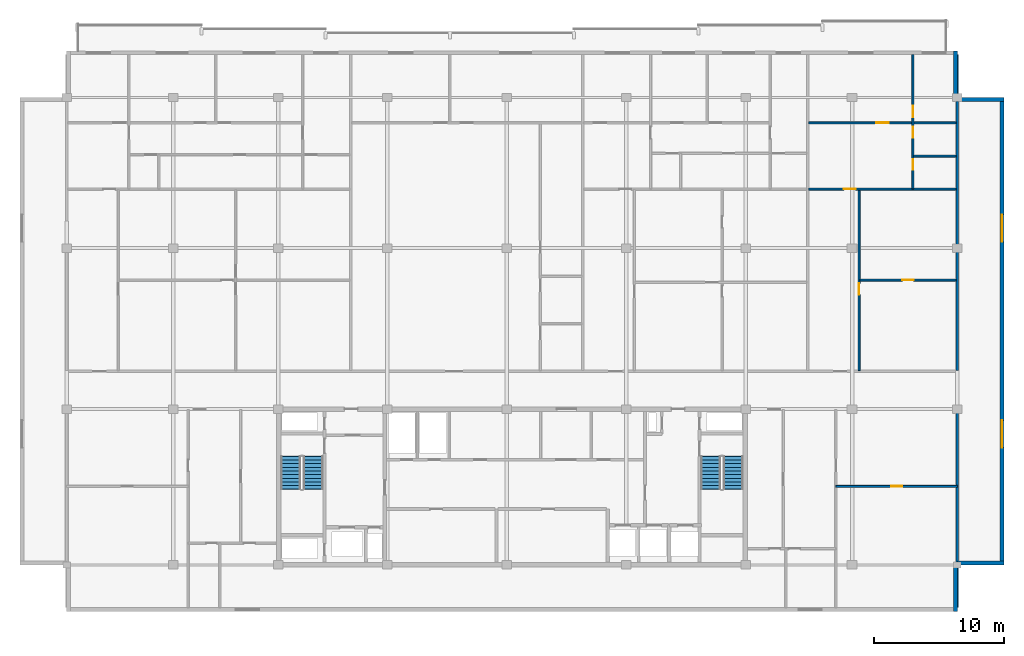
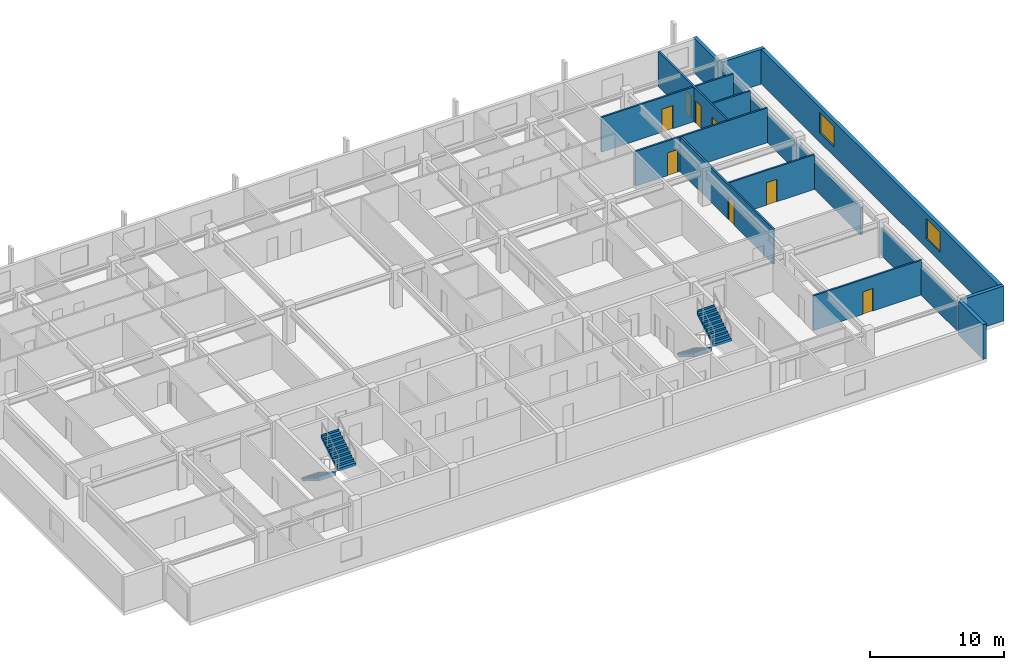
# One storey, part 8 of 10: 14 walls, 8 doors, 4 stair flights, 2 windows, 10 openings, 2 elements without a shape of their own.
"""IFC4 building model written with IfcOpenShell, lengths in metres."""

from ifc_helpers import new_model, si_unit, direction, frame, frame_2d, origin, place, context, subcontext, project, spatial, polyline, rectangle, outline, extrude, material, layer, layer_set, type_object, element, fill, aggregate, save


model = new_model("IFC4")

# Units and contexts
model_context = context("Model", 3, precision=1e-05, world=origin(), true_north=direction((0.0, 1.0)))
body_context = subcontext(model_context, "Body", "Model", "MODEL_VIEW")
ifc_project = project(units=[si_unit("LENGTHUNIT", "METRE"), si_unit("AREAUNIT", "SQUARE_METRE"), si_unit("VOLUMEUNIT", "CUBIC_METRE"), si_unit("PLANEANGLEUNIT", "RADIAN"), si_unit("MASSUNIT", "GRAM", prefix="KILO")], contexts=[model_context])

# Site, building, storey
site_placement = place(None, origin())
site = spatial("IfcSite", under=ifc_project, at=site_placement, CompositionType="ELEMENT")
building_placement = place(site_placement, origin())
building = spatial("IfcBuilding", under=site, at=building_placement, Name="Korimba Cascade Residences", CompositionType="ELEMENT")
storey_placement = place(building_placement, frame((0.0, 0.0, 228.64990234375)))
storey = spatial("IfcBuildingStorey", under=building, at=storey_placement, Name="L66", CompositionType="ELEMENT", Elevation=228.64990234375)

# Walls
ifc_material_1 = material(Name="Precast concrete C40/50", Category="concrete")
ifc_layer_1 = layer(ifc_material_1, 0.300048828125)
ifc_layer_set_1 = layer_set([ifc_layer_1], Name="Precast concrete C40/50")
wall_type_1 = type_object("IfcWallType", Name="EW-STONE-300", PredefinedType="STANDARD", material=ifc_layer_set_1)
wall_1_placement = place(storey_placement, frame((128.25, 51.60009765625, 0.0), z_axis=(0.0, 0.0, 1.0), x_axis=(0.0, 1.0, 0.0)))
element("IfcWall", 1, at=wall_1_placement, inside=storey, type_object=wall_type_1, Name="L66 T1 Perimeter Stone Wall E01", PredefinedType="STANDARD", context=body_context, shape_type="SweptSolid", body=[
    extrude(rectangle(XDim=3.599853515625, YDim=0.300048828125, at=frame_2d((1.7998046875, 0.0))), origin(), (0.0, 0.0, 1.0), 3.170166015625),
])
wall_2_placement = place(storey_placement, frame((128.39990234375, 55.35009765625, 0.0), z_axis=(0.0, 0.0, 1.0), x_axis=(1.0, 0.0, 0.0)))
element("IfcWall", 2, at=wall_2_placement, inside=storey, type_object=wall_type_1, Name="L66 T1 Perimeter Stone Wall E02", PredefinedType="STANDARD", context=body_context, shape_type="SweptSolid", body=[
    extrude(rectangle(XDim=3.60009765625, YDim=0.300048828125, at=frame_2d((1.800048828125, 0.0))), origin(), (0.0, 0.0, 1.0), 3.170166015625),
])

# Wall, openings, windows
wall_3_placement = place(storey_placement, frame((131.85009765625, 55.199951171875, 0.0), z_axis=(0.0, 0.0, 1.0), x_axis=(0.0, 1.0, 0.0)))
wall_3 = element("IfcWall", 3, at=wall_3_placement, inside=storey, type_object=wall_type_1, Name="L66 T1 Perimeter Stone Wall E03", PredefinedType="STANDARD", context=body_context, shape_type="SweptSolid", body=[
    extrude(rectangle(XDim=36.0, YDim=0.300048828125, at=frame_2d((18.0, 0.0))), origin(), (0.0, 0.0, 1.0), 3.170166015625),
])
opening_1_placement = place(wall_3_placement, frame((9.030029296875, 0.0, 0.85009765625)))
opening_1 = element("IfcOpeningElement", 4, at=opening_1_placement, cuts=wall_3, Name="Opening W-03", PredefinedType="OPENING", context=body_context, shape_type="SweptSolid", body=[
    extrude(rectangle(XDim=2.10009765625, YDim=1.85009765625, at=frame_2d((1.050048828125, 0.925048828125))), frame((0.0, 0.16015625, 0.0), z_axis=(0.0, -1.0, 0.0), x_axis=(1.0, 0.0, 0.0)), (0.0, 0.0, 1.0), 0.320068359375),
])
opening_2_placement = place(wall_3_placement, frame((24.8701171875, 0.0, 0.85009765625)))
opening_2 = element("IfcOpeningElement", 5, at=opening_2_placement, cuts=wall_3, Name="Opening W-03", PredefinedType="OPENING", context=body_context, shape_type="SweptSolid", body=[
    extrude(rectangle(XDim=2.10009765625, YDim=1.85009765625, at=frame_2d((1.050048828125, 0.925048828125))), frame((0.0, 0.16015625, 0.0), z_axis=(0.0, -1.0, 0.0), x_axis=(1.0, 0.0, 0.0)), (0.0, 0.0, 1.0), 0.320068359375),
])
ifc_material_2 = material(Name="Double-Glazed Aluminium Window", Category="aluminium")
window_type = type_object("IfcWindowType", Name="WIN-CRN-2100", PartitioningType="DOUBLE_PANEL_HORIZONTAL", PredefinedType="WINDOW", material=ifc_material_2)
window_1_placement = place(opening_1_placement, origin())
window_1 = element("IfcWindow", 6, at=window_1_placement, inside=storey, type_object=window_type, Name="L66 T1 End View Window 3.1", OverallHeight=1.85009765625, OverallWidth=2.10009765625, PartitioningType="DOUBLE_PANEL_HORIZONTAL", PredefinedType="WINDOW", context=body_context, shape_type="SweptSolid", body=[
    extrude(rectangle(XDim=2.10009765625, YDim=1.85009765625, at=frame_2d((1.050048828125, 0.925048828125))), frame((0.0, 0.030029296875, 0.0), z_axis=(0.0, -1.0, 0.0), x_axis=(1.0, 0.0, 0.0)), (0.0, 0.0, 1.0), 0.06005859375),
])
fill(opening_1, window_1)
window_2_placement = place(opening_2_placement, origin())
window_2 = element("IfcWindow", 7, at=window_2_placement, inside=storey, type_object=window_type, Name="L66 T1 End View Window 3.2", OverallHeight=1.85009765625, OverallWidth=2.10009765625, PartitioningType="DOUBLE_PANEL_HORIZONTAL", PredefinedType="WINDOW", context=body_context, shape_type="SweptSolid", body=[
    extrude(rectangle(XDim=2.10009765625, YDim=1.85009765625, at=frame_2d((1.050048828125, 0.925048828125))), frame((0.0, 0.030029296875, 0.0), z_axis=(0.0, -1.0, 0.0), x_axis=(1.0, 0.0, 0.0)), (0.0, 0.0, 1.0), 0.06005859375),
])
fill(opening_2, window_2)

# Walls
for number, where, z_axis, x_axis, name in (
    (8, (132.0, 91.050048828125, 0.0), (0.0, 0.0, 1.0), (-1.0, 0.0, 0.0), "L66 T1 Perimeter Stone Wall E04"),
    (9, (128.25, 91.199951171875, 0.0), (0.0, 0.0, 1.0), (0.0, 1.0, 0.0), "L66 T1 Perimeter Stone Wall E05"),
):
    element("IfcWall", number, at=place(storey_placement, frame(where, z_axis=z_axis, x_axis=x_axis)), inside=storey, type_object=wall_type_1, Name=name, PredefinedType="STANDARD", context=body_context, shape_type="SweptSolid", body=[
        extrude(rectangle(XDim=3.60009765625, YDim=0.300048828125, at=frame_2d((1.800048828125, 0.0))), origin(), (0.0, 0.0, 1.0), 3.170166015625),
    ])
ifc_layer_2 = layer(ifc_material_1, 0.199951171875)
ifc_layer_set_2 = layer_set([ifc_layer_2], Name="Precast concrete C40/50")
wall_type_2 = type_object("IfcWallType", Name="WAL-IT-200", PredefinedType="PARTITIONING", material=ifc_layer_set_2)
wall_4_placement = place(storey_placement, frame((128.39990234375, 51.89990234375, 0.0), z_axis=(0.0, 0.0, 1.0), x_axis=(0.0, 1.0, 0.0)))
element("IfcWall", 10, at=wall_4_placement, inside=storey, type_object=wall_type_2, Name="L66 Partition Wall WAL-L66-T1-FE-WR", PredefinedType="PARTITIONING", context=body_context, shape_type="SweptSolid", body=[
    extrude(rectangle(XDim=15.300048828125, YDim=0.199951171875, at=frame_2d((7.64990234375, 0.0))), origin(), (0.0, 0.0, 1.0), 2.477294921875),
])
wall_5_placement = place(storey_placement, frame((128.39990234375, 70.179931640625, 0.0), z_axis=(0.0, 0.0, 1.0), x_axis=(0.0, 1.0, 0.0)))
element("IfcWall", 11, at=wall_5_placement, inside=storey, type_object=wall_type_2, Name="L66 Partition Wall WAL-L66-T1-BNDWR", PredefinedType="PARTITIONING", context=body_context, shape_type="SweptSolid", body=[
    extrude(rectangle(XDim=24.320068359375, YDim=0.199951171875, at=frame_2d((12.16015625, 0.0))), origin(), (0.0, 0.0, 1.0), 2.477294921875),
])

# Wall, opening, door
ifc_material_3 = material(Name="Insulated Acoustic Stud Partition", Category="gypsum")
ifc_layer_3 = layer(ifc_material_3, 0.14990234375)
ifc_layer_set_3 = layer_set([ifc_layer_3], Name="Insulated Acoustic Stud Partition")
wall_type_3 = type_object("IfcWallType", Name="WAL-PART-150", PredefinedType="PARTITIONING", material=ifc_layer_set_3)
wall_6_placement = place(storey_placement, frame((119.050048828125, 61.25, 0.0), z_axis=(0.0, 0.0, 1.0), x_axis=(1.0, 0.0, 0.0)))
wall_6 = element("IfcWall", 12, at=wall_6_placement, inside=storey, type_object=wall_type_3, Name="L66 Partition Wall WAL-L66-T1-FE-STH", PredefinedType="PARTITIONING", context=body_context, shape_type="SweptSolid", body=[
    extrude(rectangle(XDim=9.349853515625, YDim=0.14990234375, at=frame_2d((4.6748046875, 0.0))), origin(), (0.0, 0.0, 1.0), 3.170166015625),
])
opening_3_placement = place(wall_6_placement, frame((4.2548828125, 0.0, 0.0)))
opening_3 = element("IfcOpeningElement", 13, at=opening_3_placement, cuts=wall_6, Name="Opening D-BT1", PredefinedType="OPENING", context=body_context, shape_type="SweptSolid", body=[
    extrude(rectangle(XDim=0.840087890625, YDim=2.0400390625, at=frame_2d((0.419921875, 1.02001953125))), frame((0.0, 0.0849609375, 0.0), z_axis=(0.0, -1.0, 0.0), x_axis=(1.0, 0.0, 0.0)), (0.0, 0.0, 1.0), 0.169921875),
])
ifc_material_4 = material(Name="Moisture-Resistant Bathroom Timber Door", Category="wood")
door_type_1 = type_object("IfcDoorType", Name="DR-INT-850", OperationType="NOTDEFINED", PredefinedType="DOOR", material=ifc_material_4)
door_1_placement = place(opening_3_placement, origin())
door_1 = element("IfcDoor", 14, at=door_1_placement, inside=storey, type_object=door_type_1, Name="L66-T1-FE Dressing Store Door", OperationType="SINGLE_SWING_LEFT", OverallHeight=2.0400390625, OverallWidth=0.840087890625, PredefinedType="DOOR", context=body_context, shape_type="SweptSolid", body=[
    extrude(rectangle(XDim=0.840087890625, YDim=2.0400390625, at=frame_2d((0.419921875, 1.02001953125))), frame((0.0, 0.02490234375, 0.0), z_axis=(0.0, -1.0, 0.0), x_axis=(1.0, 0.0, 0.0)), (0.0, 0.0, 1.0), 0.050048828125),
])
fill(opening_3, door_1)

wall_7_placement = place(storey_placement, frame((120.899658203125, 77.135009765625, 0.0), z_axis=(0.0, 0.0, 1.0), x_axis=(1.0, 0.0, 0.0)))
wall_7 = element("IfcWall", 15, at=wall_7_placement, inside=storey, type_object=wall_type_3, Name="L66 Partition Wall WAL-L66-T1-U04-FMH", PredefinedType="PARTITIONING", context=body_context, shape_type="SweptSolid", body=[
    extrude(rectangle(XDim=7.42041015625, YDim=0.14990234375, at=frame_2d((3.710205078125, 0.0))), origin(), (0.0, 0.0, 1.0), 3.170166015625),
])
opening_4_placement = place(wall_7_placement, frame((3.270263671875, 0.0, 0.0)))
opening_4 = element("IfcOpeningElement", 16, at=opening_4_placement, cuts=wall_7, Name="Opening D-IN2", PredefinedType="OPENING", context=body_context, shape_type="SweptSolid", body=[
    extrude(rectangle(XDim=0.8798828125, YDim=2.06005859375, at=frame_2d((0.43994140625, 1.030029296875))), frame((0.0, 0.0849609375, 0.0), z_axis=(0.0, -1.0, 0.0), x_axis=(1.0, 0.0, 0.0)), (0.0, 0.0, 1.0), 0.169921875),
])
ifc_material_5 = material(Name="Acoustic Timber Bedroom Door", Category="wood")
door_type_2 = type_object("IfcDoorType", Name="DR-INT-880", OperationType="NOTDEFINED", PredefinedType="DOOR", material=ifc_material_5)
door_2_placement = place(opening_4_placement, origin())
door_2 = element("IfcDoor", 17, at=door_2_placement, inside=storey, type_object=door_type_2, Name="L66-T1-U04 Library Salon Door", OperationType="SINGLE_SWING_RIGHT", OverallHeight=2.06005859375, OverallWidth=0.8798828125, PredefinedType="DOOR", context=body_context, shape_type="SweptSolid", body=[
    extrude(rectangle(XDim=0.8798828125, YDim=2.06005859375, at=frame_2d((0.43994140625, 1.030029296875))), frame((0.0, 0.02490234375, 0.0), z_axis=(0.0, -1.0, 0.0), x_axis=(1.0, 0.0, 0.0)), (0.0, 0.0, 1.0), 0.050048828125),
])
fill(opening_4, door_2)

wall_8_placement = place(storey_placement, frame((120.839599609375, 70.159912109375, 0.0), z_axis=(0.0, 0.0, 1.0), x_axis=(0.0, 1.0, 0.0)))
wall_8 = element("IfcWall", 18, at=wall_8_placement, inside=storey, type_object=wall_type_3, Name="L66 Partition Wall WAL-L66-T1-U04-FV", PredefinedType="PARTITIONING", context=body_context, shape_type="SweptSolid", body=[
    extrude(rectangle(XDim=13.9501953125, YDim=0.14990234375, at=frame_2d((6.97509765625, 0.0))), origin(), (0.0, 0.0, 1.0), 3.170166015625),
])
opening_5_placement = place(wall_8_placement, frame((5.844970703125, 0.0, 0.0)))
opening_5 = element("IfcOpeningElement", 19, at=opening_5_placement, cuts=wall_8, Name="Opening D-IN2", PredefinedType="OPENING", context=body_context, shape_type="SweptSolid", body=[
    extrude(rectangle(XDim=0.8798828125, YDim=2.06005859375, at=frame_2d((0.43994140625, 1.030029296875))), frame((0.0, 0.0849609375, 0.0), z_axis=(0.0, -1.0, 0.0), x_axis=(1.0, 0.0, 0.0)), (0.0, 0.0, 1.0), 0.169921875),
])
door_3_placement = place(opening_5_placement, origin())
door_3 = element("IfcDoor", 20, at=door_3_placement, inside=storey, type_object=door_type_2, Name="L66-T1-U04 Media Lounge Door", OperationType="SINGLE_SWING_LEFT", OverallHeight=2.06005859375, OverallWidth=0.8798828125, PredefinedType="DOOR", context=body_context, shape_type="SweptSolid", body=[
    extrude(rectangle(XDim=0.8798828125, YDim=2.06005859375, at=frame_2d((0.43994140625, 1.030029296875))), frame((0.0, 0.02490234375, 0.0), z_axis=(0.0, -1.0, 0.0), x_axis=(1.0, 0.0, 0.0)), (0.0, 0.0, 1.0), 0.050048828125),
])
fill(opening_5, door_3)

# Wall
wall_9_placement = place(storey_placement, frame((125.0400390625, 86.68994140625, 0.0), z_axis=(0.0, 0.0, 1.0), x_axis=(1.0, 0.0, 0.0)))
element("IfcWall", 21, at=wall_9_placement, inside=storey, type_object=wall_type_3, Name="L66 Partition Wall WAL-L66-T1-U04-BLDIV", PredefinedType="PARTITIONING", context=body_context, shape_type="SweptSolid", body=[
    extrude(rectangle(XDim=3.280029296875, YDim=0.14990234375, at=frame_2d((1.64013671875, 0.0))), origin(), (0.0, 0.0, 1.0), 3.170166015625),
])

# Wall, openings, doors
wall_10_placement = place(storey_placement, frame((124.97998046875, 84.18994140625, 0.0), z_axis=(0.0, 0.0, 1.0), x_axis=(0.0, 1.0, 0.0)))
wall_10 = element("IfcWall", 22, at=wall_10_placement, inside=storey, type_object=wall_type_3, Name="L66 Partition Wall WAL-L66-T1-U04-V1", PredefinedType="PARTITIONING", context=body_context, shape_type="SweptSolid", body=[
    extrude(rectangle(XDim=10.31005859375, YDim=0.14990234375, at=frame_2d((5.155029296875, 0.0))), origin(), (0.0, 0.0, 1.0), 3.170166015625),
])
opening_6_placement = place(wall_10_placement, frame((1.430419921875, 0.0, 0.0)))
opening_6 = element("IfcOpeningElement", 23, at=opening_6_placement, cuts=wall_10, Name="Opening D-BT1", PredefinedType="OPENING", context=body_context, shape_type="SweptSolid", body=[
    extrude(rectangle(XDim=0.840087890625, YDim=2.0400390625, at=frame_2d((0.419921875, 1.02001953125))), frame((0.0, 0.0849609375, 0.0), z_axis=(0.0, -1.0, 0.0), x_axis=(1.0, 0.0, 0.0)), (0.0, 0.0, 1.0), 0.169921875),
])
opening_7_placement = place(wall_10_placement, frame((3.919921875, 0.0, 0.0)))
opening_7 = element("IfcOpeningElement", 24, at=opening_7_placement, cuts=wall_10, Name="Opening D-BT1", PredefinedType="OPENING", context=body_context, shape_type="SweptSolid", body=[
    extrude(rectangle(XDim=0.840087890625, YDim=2.0400390625, at=frame_2d((0.419921875, 1.02001953125))), frame((0.0, 0.0849609375, 0.0), z_axis=(0.0, -1.0, 0.0), x_axis=(1.0, 0.0, 0.0)), (0.0, 0.0, 1.0), 0.169921875),
])
opening_8_placement = place(wall_10_placement, frame((5.47998046875, 0.0, 0.0)))
opening_8 = element("IfcOpeningElement", 25, at=opening_8_placement, cuts=wall_10, Name="Opening D-IN2", PredefinedType="OPENING", context=body_context, shape_type="SweptSolid", body=[
    extrude(rectangle(XDim=0.8798828125, YDim=2.06005859375, at=frame_2d((0.43994140625, 1.030029296875))), frame((0.0, 0.0849609375, 0.0), z_axis=(0.0, -1.0, 0.0), x_axis=(1.0, 0.0, 0.0)), (0.0, 0.0, 1.0), 0.169921875),
])
door_4_placement = place(opening_6_placement, origin())
door_4 = element("IfcDoor", 26, at=door_4_placement, inside=storey, type_object=door_type_1, Name="L66-T1-U04 Bathroom Door", OperationType="SINGLE_SWING_RIGHT", OverallHeight=2.0400390625, OverallWidth=0.840087890625, PredefinedType="DOOR", context=body_context, shape_type="SweptSolid", body=[
    extrude(rectangle(XDim=0.840087890625, YDim=2.0400390625, at=frame_2d((0.419921875, 1.02001953125))), frame((0.0, 0.02490234375, 0.0), z_axis=(0.0, -1.0, 0.0), x_axis=(1.0, 0.0, 0.0)), (0.0, 0.0, 1.0), 0.050048828125),
])
fill(opening_6, door_4)
door_5_placement = place(opening_7_placement, origin())
door_5 = element("IfcDoor", 27, at=door_5_placement, inside=storey, type_object=door_type_1, Name="L66-T1-U04 Laundry Door", OperationType="SINGLE_SWING_LEFT", OverallHeight=2.0400390625, OverallWidth=0.840087890625, PredefinedType="DOOR", context=body_context, shape_type="SweptSolid", body=[
    extrude(rectangle(XDim=0.840087890625, YDim=2.0400390625, at=frame_2d((0.419921875, 1.02001953125))), frame((0.0, 0.02490234375, 0.0), z_axis=(0.0, -1.0, 0.0), x_axis=(1.0, 0.0, 0.0)), (0.0, 0.0, 1.0), 0.050048828125),
])
fill(opening_7, door_5)
door_6_placement = place(opening_8_placement, origin())
door_6 = element("IfcDoor", 28, at=door_6_placement, inside=storey, type_object=door_type_2, Name="L66-T1-U04 Bedroom 1 Door", OperationType="SINGLE_SWING_RIGHT", OverallHeight=2.06005859375, OverallWidth=0.8798828125, PredefinedType="DOOR", context=body_context, shape_type="SweptSolid", body=[
    extrude(rectangle(XDim=0.8798828125, YDim=2.06005859375, at=frame_2d((0.43994140625, 1.030029296875))), frame((0.0, 0.02490234375, 0.0), z_axis=(0.0, -1.0, 0.0), x_axis=(1.0, 0.0, 0.0)), (0.0, 0.0, 1.0), 0.050048828125),
])
fill(opening_8, door_6)

# Wall, opening, door
wall_11_placement = place(storey_placement, frame((116.94970703125, 84.14990234375, 0.0), z_axis=(0.0, 0.0, 1.0), x_axis=(1.0, 0.0, 0.0)))
wall_11 = element("IfcWall", 29, at=wall_11_placement, inside=storey, type_object=wall_type_3, Name="L66 Partition Wall WAL-L66-T1-U04-MW", PredefinedType="PARTITIONING", context=body_context, shape_type="SweptSolid", body=[
    extrude(rectangle(XDim=11.370361328125, YDim=0.14990234375, at=frame_2d((5.68505859375, 0.0))), origin(), (0.0, 0.0, 1.0), 3.170166015625),
])
opening_9_placement = place(wall_11_placement, frame((2.719970703125, 0.0, 0.0)))
opening_9 = element("IfcOpeningElement", 30, at=opening_9_placement, cuts=wall_11, Name="Opening D-IN1", PredefinedType="OPENING", context=body_context, shape_type="SweptSolid", body=[
    extrude(rectangle(XDim=0.919921875, YDim=2.080078125, at=frame_2d((0.4599609375, 1.0400390625))), frame((0.0, 0.0849609375, 0.0), z_axis=(0.0, -1.0, 0.0), x_axis=(1.0, 0.0, 0.0)), (0.0, 0.0, 1.0), 0.169921875),
])
ifc_material_6 = material(Name="Acoustic Timber Living Door", Category="wood")
door_type_3 = type_object("IfcDoorType", Name="DR-INT-920", OperationType="NOTDEFINED", PredefinedType="DOOR", material=ifc_material_6)
door_7_placement = place(opening_9_placement, origin())
door_7 = element("IfcDoor", 31, at=door_7_placement, inside=storey, type_object=door_type_3, Name="L66-T1-U04 Kitchen Archway Door", OperationType="SINGLE_SWING_LEFT", OverallHeight=2.080078125, OverallWidth=0.919921875, PredefinedType="DOOR", context=body_context, shape_type="SweptSolid", body=[
    extrude(rectangle(XDim=0.919921875, YDim=2.080078125, at=frame_2d((0.4599609375, 1.0400390625))), frame((0.0, 0.02490234375, 0.0), z_axis=(0.0, -1.0, 0.0), x_axis=(1.0, 0.0, 0.0)), (0.0, 0.0, 1.0), 0.050048828125),
])
fill(opening_9, door_7)

wall_12_placement = place(storey_placement, frame((116.94970703125, 89.25, 0.0), z_axis=(0.0, 0.0, 1.0), x_axis=(1.0, 0.0, 0.0)))
wall_12 = element("IfcWall", 32, at=wall_12_placement, inside=storey, type_object=wall_type_3, Name="L66 Partition Wall WAL-L66-T1-U04-HZ", PredefinedType="PARTITIONING", context=body_context, shape_type="SweptSolid", body=[
    extrude(rectangle(XDim=11.370361328125, YDim=0.14990234375, at=frame_2d((5.68505859375, 0.0))), origin(), (0.0, 0.0, 1.0), 3.170166015625),
])
opening_10_placement = place(wall_12_placement, frame((5.215087890625, 0.0, 0.0)))
opening_10 = element("IfcOpeningElement", 33, at=opening_10_placement, cuts=wall_12, Name="Opening D-IN0", PredefinedType="OPENING", context=body_context, shape_type="SweptSolid", body=[
    extrude(rectangle(XDim=0.93994140625, YDim=2.10009765625, at=frame_2d((0.469970703125, 1.050048828125))), frame((0.0, 0.0849609375, 0.0), z_axis=(0.0, -1.0, 0.0), x_axis=(1.0, 0.0, 0.0)), (0.0, 0.0, 1.0), 0.169921875),
])
ifc_material_7 = material(Name="Acoustic Timber Living Archway Door", Category="wood")
door_type_4 = type_object("IfcDoorType", Name="DR-INT-950", OperationType="NOTDEFINED", PredefinedType="DOOR", material=ifc_material_7)
door_8_placement = place(opening_10_placement, origin())
door_8 = element("IfcDoor", 34, at=door_8_placement, inside=storey, type_object=door_type_4, Name="L66-T1-U04 Living Archway Door", OperationType="SINGLE_SWING_RIGHT", OverallHeight=2.10009765625, OverallWidth=0.93994140625, PredefinedType="DOOR", context=body_context, shape_type="SweptSolid", body=[
    extrude(rectangle(XDim=0.93994140625, YDim=2.10009765625, at=frame_2d((0.469970703125, 1.050048828125))), frame((0.0, 0.02490234375, 0.0), z_axis=(0.0, -1.0, 0.0), x_axis=(1.0, 0.0, 0.0)), (0.0, 0.0, 1.0), 0.050048828125),
])
fill(opening_10, door_8)

# Stair, stair flights
ifc_material_8 = material(Name="Concrete C50/60", Category="concrete")
stair_type_1 = type_object("IfcStairType", Name="STR-W1-20R-1725", PredefinedType="HALF_TURN_STAIR", material=ifc_material_8)
stair_1_placement = place(storey_placement, origin())
stair_1 = element("IfcStair", 35, at=stair_1_placement, inside=storey, type_object=stair_type_1, Name="L66 Tower 1 West Fire Stair ST-W1", PredefinedType="HALF_TURN_STAIR")
stair_flight_type = type_object("IfcStairFlightType", Name="STF-DL-20R-1725-1520", PredefinedType="STRAIGHT", material=ifc_material_8)
stair_flight_1_placement = place(storey_placement, frame((77.06005859375, 63.550048828125, 0.0), z_axis=(0.0, 0.0, 1.0), x_axis=(0.0, -1.0, 0.0)))
stair_flight_1 = element("IfcStairFlight", 36, at=stair_flight_1_placement, type_object=stair_flight_type, Name="ST-W1 flight 1", NumberOfRisers=10, NumberOfTreads=9, PredefinedType="STRAIGHT", RiserHeight=0.1725, TreadLength=0.28, context=body_context, shape_type="SweptSolid", body=[
    extrude(outline(polyline([(-0.0380859375, 0.0), (0.0, 0.172607421875), (0.280029296875, 0.172607421875), (0.280029296875, 0.344970703125), (0.56005859375, 0.344970703125), (0.56005859375, 0.517578125), (0.840087890625, 0.517578125), (0.840087890625, 0.68994140625), (1.1201171875, 0.68994140625), (1.1201171875, 0.862548828125), (1.39990234375, 0.862548828125), (1.39990234375, 1.034912109375), (1.679931640625, 1.034912109375), (1.679931640625, 1.20751953125), (1.9599609375, 1.20751953125), (1.9599609375, 1.3798828125), (2.239990234375, 1.3798828125), (2.239990234375, 1.552490234375), (2.52001953125, 1.552490234375), (2.52001953125, 1.72509765625), (2.55810546875, 1.72509765625), (2.55810546875, 1.37646484375), (0.285888671875, 0.0), (0.285888671875, -0.0380859375), (-0.0380859375, -0.0380859375), (-0.0380859375, 0.0)])), frame((0.0, 0.760009765625, 0.0), z_axis=(0.0, -1.0, 0.0), x_axis=(1.0, 0.0, 0.0)), (0.0, 0.0, 1.0), 1.52001953125),
])
stair_flight_2_placement = place(storey_placement, frame((78.780029296875, 61.030029296875, 1.72509765625), z_axis=(0.0, 0.0, 1.0), x_axis=(0.0, 1.0, 0.0)))
stair_flight_2 = element("IfcStairFlight", 37, at=stair_flight_2_placement, type_object=stair_flight_type, Name="ST-W1 flight 2", NumberOfRisers=10, NumberOfTreads=9, PredefinedType="STRAIGHT", RiserHeight=0.1725, TreadLength=0.28, context=body_context, shape_type="SweptSolid", body=[
    extrude(outline(polyline([(-0.0380859375, 0.0), (0.0, 0.172607421875), (0.280029296875, 0.172607421875), (0.280029296875, 0.344970703125), (0.56005859375, 0.344970703125), (0.56005859375, 0.517578125), (0.840087890625, 0.517578125), (0.840087890625, 0.68994140625), (1.1201171875, 0.68994140625), (1.1201171875, 0.862548828125), (1.39990234375, 0.862548828125), (1.39990234375, 1.034912109375), (1.679931640625, 1.034912109375), (1.679931640625, 1.20751953125), (1.9599609375, 1.20751953125), (1.9599609375, 1.3798828125), (2.239990234375, 1.3798828125), (2.239990234375, 1.552490234375), (2.52001953125, 1.552490234375), (2.52001953125, 1.72509765625), (2.55810546875, 1.72509765625), (2.55810546875, 1.37646484375), (0.285888671875, 0.0), (0.285888671875, -0.0380859375), (-0.0380859375, -0.0380859375), (-0.0380859375, 0.0)])), frame((0.0, 0.760009765625, 0.0), z_axis=(0.0, -1.0, 0.0), x_axis=(1.0, 0.0, 0.0)), (0.0, 0.0, 1.0), 1.52001953125),
])
aggregate(stair_1, [stair_flight_1, stair_flight_2])

stair_type_2 = type_object("IfcStairType", Name="STR-W2-20R-1725", PredefinedType="HALF_TURN_STAIR", material=ifc_material_8)
stair_2_placement = place(storey_placement, origin())
stair_2 = element("IfcStair", 38, at=stair_2_placement, inside=storey, type_object=stair_type_2, Name="L66 Tower 1 East Fire Stair ST-W2", PredefinedType="HALF_TURN_STAIR")
stair_flight_3_placement = place(storey_placement, frame((109.419921875, 63.550048828125, 0.0), z_axis=(0.0, 0.0, 1.0), x_axis=(0.0, -1.0, 0.0)))
stair_flight_3 = element("IfcStairFlight", 39, at=stair_flight_3_placement, type_object=stair_flight_type, Name="ST-W2 flight 1", NumberOfRisers=10, NumberOfTreads=9, PredefinedType="STRAIGHT", RiserHeight=0.1725, TreadLength=0.28, context=body_context, shape_type="SweptSolid", body=[
    extrude(outline(polyline([(-0.0380859375, 0.0), (0.0, 0.172607421875), (0.280029296875, 0.172607421875), (0.280029296875, 0.344970703125), (0.56005859375, 0.344970703125), (0.56005859375, 0.517578125), (0.840087890625, 0.517578125), (0.840087890625, 0.68994140625), (1.1201171875, 0.68994140625), (1.1201171875, 0.862548828125), (1.39990234375, 0.862548828125), (1.39990234375, 1.034912109375), (1.679931640625, 1.034912109375), (1.679931640625, 1.20751953125), (1.9599609375, 1.20751953125), (1.9599609375, 1.3798828125), (2.239990234375, 1.3798828125), (2.239990234375, 1.552490234375), (2.52001953125, 1.552490234375), (2.52001953125, 1.72509765625), (2.55810546875, 1.72509765625), (2.55810546875, 1.37646484375), (0.285888671875, 0.0), (0.285888671875, -0.0380859375), (-0.0380859375, -0.0380859375), (-0.0380859375, 0.0)])), frame((0.0, 0.760009765625, 0.0), z_axis=(0.0, -1.0, 0.0), x_axis=(1.0, 0.0, 0.0)), (0.0, 0.0, 1.0), 1.52001953125),
])
stair_flight_4_placement = place(storey_placement, frame((111.139892578125, 61.030029296875, 1.72509765625), z_axis=(0.0, 0.0, 1.0), x_axis=(0.0, 1.0, 0.0)))
stair_flight_4 = element("IfcStairFlight", 40, at=stair_flight_4_placement, type_object=stair_flight_type, Name="ST-W2 flight 2", NumberOfRisers=10, NumberOfTreads=9, PredefinedType="STRAIGHT", RiserHeight=0.1725, TreadLength=0.28, context=body_context, shape_type="SweptSolid", body=[
    extrude(outline(polyline([(-0.0380859375, 0.0), (0.0, 0.172607421875), (0.280029296875, 0.172607421875), (0.280029296875, 0.344970703125), (0.56005859375, 0.344970703125), (0.56005859375, 0.517578125), (0.840087890625, 0.517578125), (0.840087890625, 0.68994140625), (1.1201171875, 0.68994140625), (1.1201171875, 0.862548828125), (1.39990234375, 0.862548828125), (1.39990234375, 1.034912109375), (1.679931640625, 1.034912109375), (1.679931640625, 1.20751953125), (1.9599609375, 1.20751953125), (1.9599609375, 1.3798828125), (2.239990234375, 1.3798828125), (2.239990234375, 1.552490234375), (2.52001953125, 1.552490234375), (2.52001953125, 1.72509765625), (2.55810546875, 1.72509765625), (2.55810546875, 1.37646484375), (0.285888671875, 0.0), (0.285888671875, -0.0380859375), (-0.0380859375, -0.0380859375), (-0.0380859375, 0.0)])), frame((0.0, 0.760009765625, 0.0), z_axis=(0.0, -1.0, 0.0), x_axis=(1.0, 0.0, 0.0)), (0.0, 0.0, 1.0), 1.52001953125),
])
aggregate(stair_2, [stair_flight_3, stair_flight_4])

save(model, "model.ifc")
